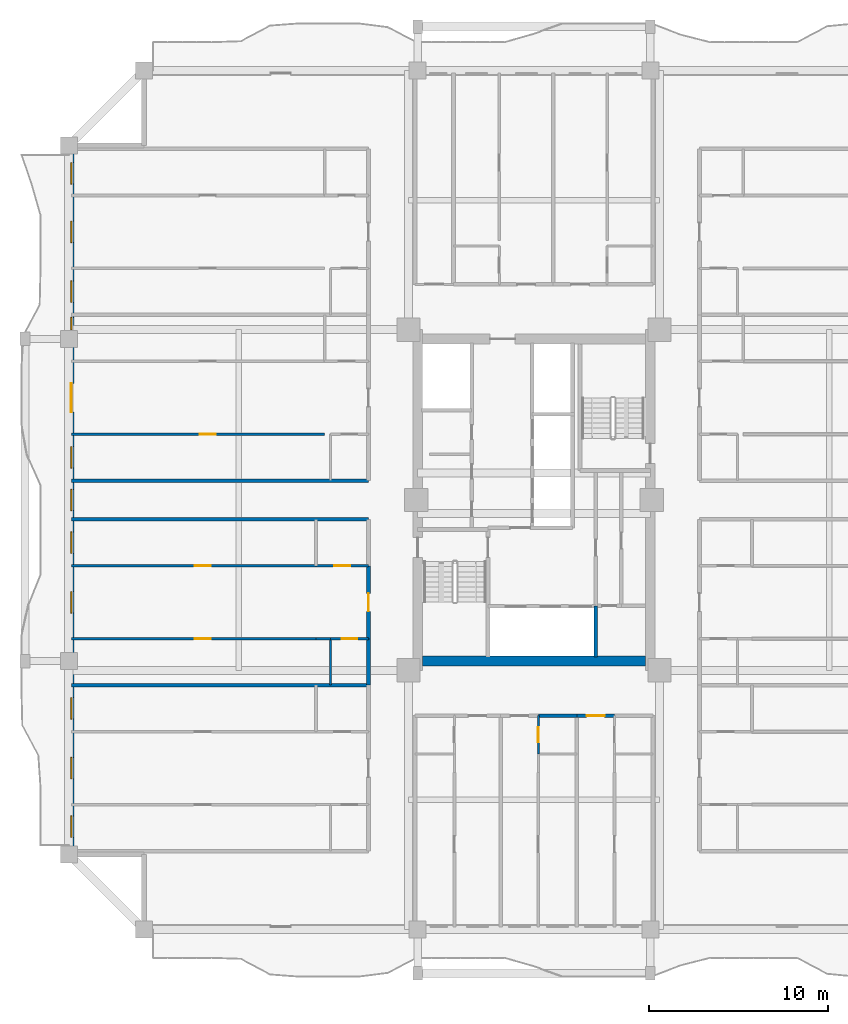
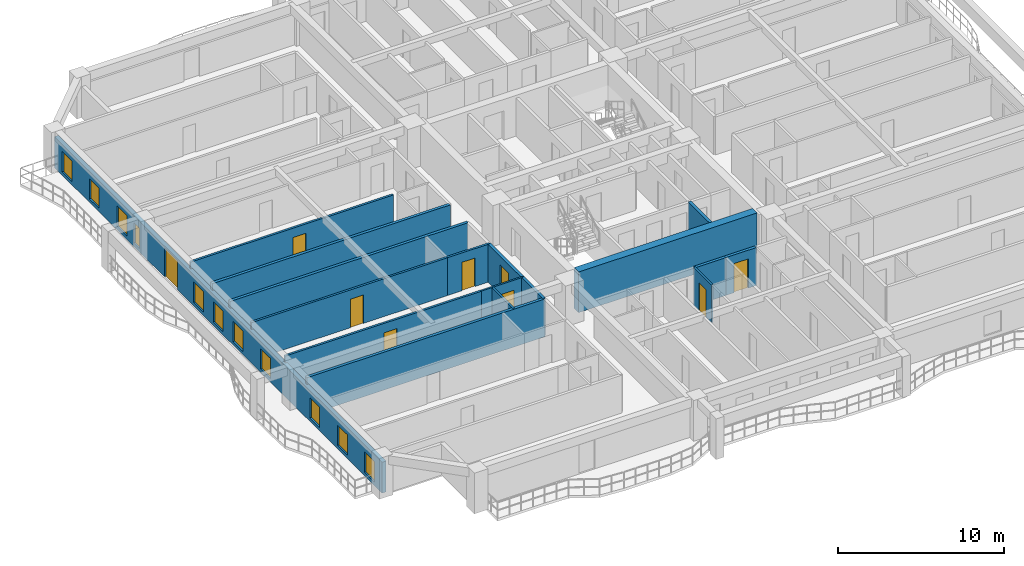
# One storey, part 3 of 13: 18 walls, 11 windows, 9 doors, 20 openings.
"""IFC4 building model written with IfcOpenShell, lengths in metres."""

from ifc_helpers import new_model, si_unit, direction, frame, frame_2d, origin, place, context, subcontext, project, spatial, rectangle, extrude, source, transform, mapped, material, layer, layer_set, type_object, element, fill, save


model = new_model("IFC4")

# Units and contexts
model_context = context("Model", 3, precision=1e-05, world=origin(), true_north=direction((0.0, 1.0)))
body_context = subcontext(model_context, "Body", "Model", "MODEL_VIEW")
ifc_project = project(units=[si_unit("LENGTHUNIT", "METRE"), si_unit("AREAUNIT", "SQUARE_METRE"), si_unit("VOLUMEUNIT", "CUBIC_METRE"), si_unit("PLANEANGLEUNIT", "RADIAN"), si_unit("MASSUNIT", "GRAM", prefix="KILO")], contexts=[model_context])

# Site, building, storey
site_placement = place(None, origin())
site = spatial("IfcSite", under=ifc_project, at=site_placement, CompositionType="ELEMENT")
building_placement = place(site_placement, origin())
building = spatial("IfcBuilding", under=site, at=building_placement, Name="Saelheon Loggia Tower", CompositionType="ELEMENT")
storey_placement = place(building_placement, frame((0.0, 0.0, 104.85009765625)))
storey = spatial("IfcBuildingStorey", under=building, at=storey_placement, Name="L33", CompositionType="ELEMENT", Elevation=104.85009765625)

# Wall
ifc_material_1 = material(Name="Concrete C50/60", Category="concrete")
ifc_layer_1 = layer(ifc_material_1, 0.550048828125)
ifc_layer_set_1 = layer_set([ifc_layer_1], Name="Concrete C50/60")
wall_type_1 = type_object("IfcWallType", Name="Wall_CoreShear_550", PredefinedType="SHEAR", material=ifc_layer_set_1)
wall_1_placement = place(storey_placement, frame((31.77490234375, 18.0, 0.0), z_axis=(0.0, 0.0, 1.0), x_axis=(1.0, 0.0, 0.0)))
element("IfcWall", 1, at=wall_1_placement, inside=storey, type_object=wall_type_1, Name="L33 Core Shear Wall South", PredefinedType="SHEAR", context=body_context, shape_type="SweptSolid", body=[
    extrude(rectangle(XDim=12.4501953125, YDim=0.550048828125, at=frame_2d((6.22509765625, 0.0))), origin(), (0.0, 0.0, 1.0), 3.0),
])

# Wall, openings, windows, door
ifc_material_2 = material(Name="Architectural Precast Concrete C40/50", Category="concrete")
ifc_layer_2 = layer(ifc_material_2, 0.280029296875)
ifc_layer_set_2 = layer_set([ifc_layer_2], Name="Architectural Precast Concrete C40/50")
wall_type_2 = type_object("IfcWallType", Name="Wall_Ext_Loggia_280", PredefinedType="SOLIDWALL", material=ifc_layer_set_2)
wall_2_placement = place(storey_placement, frame((12.139892578125, 7.199951171875, 0.0), z_axis=(0.0, 0.0, 1.0), x_axis=(0.0, 1.0, 0.0)))
wall_2 = element("IfcWall", 2, at=wall_2_placement, inside=storey, type_object=wall_type_2, Name="L33 West Loggia Inner Wall", PredefinedType="SOLIDWALL", context=body_context, shape_type="SweptSolid", body=[
    extrude(rectangle(XDim=39.60009765625, YDim=0.280029296875, at=frame_2d((19.800048828125, 0.0))), origin(), (0.0, 0.0, 1.0), 2.27978515625),
])
opening_1_placement = place(wall_2_placement, frame((0.9453125, 0.0, 0.25)))
opening_1 = element("IfcOpeningElement", 3, at=opening_1_placement, cuts=wall_2, Name="Opening WN-03", PredefinedType="OPENING", context=body_context, shape_type="SweptSolid", body=[
    extrude(rectangle(XDim=1.199951171875, YDim=1.5, at=frame_2d((0.60009765625, 0.75))), frame((0.0, 0.152099609375, 0.0), z_axis=(0.0, -1.0, 0.0), x_axis=(1.0, 0.0, 0.0)), (0.0, 0.0, 1.0), 0.303955078125),
])
opening_2_placement = place(wall_2_placement, frame((4.212890625, 0.0, 0.25)))
opening_2 = element("IfcOpeningElement", 4, at=opening_2_placement, cuts=wall_2, Name="Opening WN-03", PredefinedType="OPENING", context=body_context, shape_type="SweptSolid", body=[
    extrude(rectangle(XDim=1.199951171875, YDim=1.5, at=frame_2d((0.60009765625, 0.75))), frame((0.0, 0.152099609375, 0.0), z_axis=(0.0, -1.0, 0.0), x_axis=(1.0, 0.0, 0.0)), (0.0, 0.0, 1.0), 0.303955078125),
])
opening_3_placement = place(wall_2_placement, frame((7.550048828125, 0.0, 0.25)))
opening_3 = element("IfcOpeningElement", 5, at=opening_3_placement, cuts=wall_2, Name="Opening WN-03", PredefinedType="OPENING", context=body_context, shape_type="SweptSolid", body=[
    extrude(rectangle(XDim=1.199951171875, YDim=1.5, at=frame_2d((0.60009765625, 0.75))), frame((0.0, 0.152099609375, 0.0), z_axis=(0.0, -1.0, 0.0), x_axis=(1.0, 0.0, 0.0)), (0.0, 0.0, 1.0), 0.303955078125),
])
opening_4_placement = place(wall_2_placement, frame((13.48291015625, 0.0, 0.25)))
opening_4 = element("IfcOpeningElement", 6, at=opening_4_placement, cuts=wall_2, Name="Opening WN-03", PredefinedType="OPENING", context=body_context, shape_type="SweptSolid", body=[
    extrude(rectangle(XDim=1.199951171875, YDim=1.5, at=frame_2d((0.60009765625, 0.75))), frame((0.0, 0.152099609375, 0.0), z_axis=(0.0, -1.0, 0.0), x_axis=(1.0, 0.0, 0.0)), (0.0, 0.0, 1.0), 0.303955078125),
])
opening_5_placement = place(wall_2_placement, frame((16.820068359375, 0.0, 0.25)))
opening_5 = element("IfcOpeningElement", 7, at=opening_5_placement, cuts=wall_2, Name="Opening WN-03", PredefinedType="OPENING", context=body_context, shape_type="SweptSolid", body=[
    extrude(rectangle(XDim=1.199951171875, YDim=1.5, at=frame_2d((0.60009765625, 0.75))), frame((0.0, 0.152099609375, 0.0), z_axis=(0.0, -1.0, 0.0), x_axis=(1.0, 0.0, 0.0)), (0.0, 0.0, 1.0), 0.303955078125),
])
opening_6_placement = place(wall_2_placement, frame((19.199951171875, 0.0, 0.25)))
opening_6 = element("IfcOpeningElement", 8, at=opening_6_placement, cuts=wall_2, Name="Opening WN-03", PredefinedType="OPENING", context=body_context, shape_type="SweptSolid", body=[
    extrude(rectangle(XDim=1.199951171875, YDim=1.5, at=frame_2d((0.60009765625, 0.75))), frame((0.0, 0.152099609375, 0.0), z_axis=(0.0, -1.0, 0.0), x_axis=(1.0, 0.0, 0.0)), (0.0, 0.0, 1.0), 0.303955078125),
])
opening_7_placement = place(wall_2_placement, frame((21.577880859375, 0.0, 0.25)))
opening_7 = element("IfcOpeningElement", 9, at=opening_7_placement, cuts=wall_2, Name="Opening WN-03", PredefinedType="OPENING", context=body_context, shape_type="SweptSolid", body=[
    extrude(rectangle(XDim=1.199951171875, YDim=1.5, at=frame_2d((0.60009765625, 0.75))), frame((0.0, 0.152099609375, 0.0), z_axis=(0.0, -1.0, 0.0), x_axis=(1.0, 0.0, 0.0)), (0.0, 0.0, 1.0), 0.303955078125),
])
opening_8_placement = place(wall_2_placement, frame((24.712890625, 0.0, 0.0)))
opening_8 = element("IfcOpeningElement", 10, at=opening_8_placement, cuts=wall_2, Name="Opening DLG-1", PredefinedType="OPENING", context=body_context, shape_type="SweptSolid", body=[
    extrude(rectangle(XDim=1.60009765625, YDim=2.14990234375, at=frame_2d((0.800048828125, 1.074951171875))), frame((0.0, 0.152099609375, 0.0), z_axis=(0.0, -1.0, 0.0), x_axis=(1.0, 0.0, 0.0)), (0.0, 0.0, 1.0), 0.303955078125),
])
opening_9_placement = place(wall_2_placement, frame((29.304931640625, 0.0, 0.25)))
opening_9 = element("IfcOpeningElement", 11, at=opening_9_placement, cuts=wall_2, Name="Opening WN-06", PredefinedType="OPENING", context=body_context, shape_type="SweptSolid", body=[
    extrude(rectangle(XDim=0.699951171875, YDim=1.5, at=frame_2d((0.35009765625, 0.75))), frame((0.0, 0.152099609375, 0.0), z_axis=(0.0, -1.0, 0.0), x_axis=(1.0, 0.0, 0.0)), (0.0, 0.0, 1.0), 0.303955078125),
])
opening_10_placement = place(wall_2_placement, frame((30.847900390625, 0.0, 0.25)))
opening_10 = element("IfcOpeningElement", 12, at=opening_10_placement, cuts=wall_2, Name="Opening WN-03", PredefinedType="OPENING", context=body_context, shape_type="SweptSolid", body=[
    extrude(rectangle(XDim=1.199951171875, YDim=1.5, at=frame_2d((0.60009765625, 0.75))), frame((0.0, 0.152099609375, 0.0), z_axis=(0.0, -1.0, 0.0), x_axis=(1.0, 0.0, 0.0)), (0.0, 0.0, 1.0), 0.303955078125),
])
opening_11_placement = place(wall_2_placement, frame((34.182861328125, 0.0, 0.25)))
opening_11 = element("IfcOpeningElement", 13, at=opening_11_placement, cuts=wall_2, Name="Opening WN-03", PredefinedType="OPENING", context=body_context, shape_type="SweptSolid", body=[
    extrude(rectangle(XDim=1.199951171875, YDim=1.5, at=frame_2d((0.60009765625, 0.75))), frame((0.0, 0.152099609375, 0.0), z_axis=(0.0, -1.0, 0.0), x_axis=(1.0, 0.0, 0.0)), (0.0, 0.0, 1.0), 0.303955078125),
])
opening_12_placement = place(wall_2_placement, frame((37.452392578125, 0.0, 0.25)))
opening_12 = element("IfcOpeningElement", 14, at=opening_12_placement, cuts=wall_2, Name="Opening WN-03", PredefinedType="OPENING", context=body_context, shape_type="SweptSolid", body=[
    extrude(rectangle(XDim=1.199951171875, YDim=1.5, at=frame_2d((0.60009765625, 0.75))), frame((0.0, 0.152099609375, 0.0), z_axis=(0.0, -1.0, 0.0), x_axis=(1.0, 0.0, 0.0)), (0.0, 0.0, 1.0), 0.303955078125),
])
ifc_material_3 = material(Name="Thermal-Break Aluminium and Triple Low-E Glass", Category="aluminium")
window_type_1 = type_object("IfcWindowType", Name="Win_Slot_700x1500", PartitioningType="SINGLE_PANEL", PredefinedType="WINDOW", material=ifc_material_3)
shared_shape_1 = source(origin(), body_context, "Body", "SweptSolid", [
    extrude(rectangle(XDim=0.699951171875, YDim=1.5, at=frame_2d((0.35009765625, 0.75))), frame((0.0, 0.030029296875, 0.0), z_axis=(0.0, -1.0, 0.0), x_axis=(1.0, 0.0, 0.0)), (0.0, 0.0, 1.0), 0.06005859375),
])
window_1_placement = place(opening_9_placement, origin())
window_1 = element("IfcWindow", 15, at=window_1_placement, inside=storey, type_object=window_type_1, Name="L33 W Dwelling Window 9", OverallHeight=1.5, OverallWidth=0.699951171875, PartitioningType="SINGLE_PANEL", PredefinedType="WINDOW", context=body_context, shape_type="MappedRepresentation", body=[
    mapped(shared_shape_1, transform((0.0, 0.0, 0.0), scale=1.0)),
])
fill(opening_9, window_1)
window_type_2 = type_object("IfcWindowType", Name="Win_Bedroom_1200x1500", PartitioningType="SINGLE_PANEL", PredefinedType="WINDOW", material=ifc_material_3)
shared_shape_2 = source(origin(), body_context, "Body", "SweptSolid", [
    extrude(rectangle(XDim=1.199951171875, YDim=1.5, at=frame_2d((0.60009765625, 0.75))), frame((0.0, 0.030029296875, 0.0), z_axis=(0.0, -1.0, 0.0), x_axis=(1.0, 0.0, 0.0)), (0.0, 0.0, 1.0), 0.06005859375),
])
window_2_placement = place(opening_1_placement, origin())
window_2 = element("IfcWindow", 16, at=window_2_placement, inside=storey, type_object=window_type_2, Name="L33 W Dwelling Window 1", OverallHeight=1.5, OverallWidth=1.199951171875, PartitioningType="SINGLE_PANEL", PredefinedType="WINDOW", context=body_context, shape_type="MappedRepresentation", body=[
    mapped(shared_shape_2, transform((0.0, 0.0, 0.0), scale=1.0)),
])
fill(opening_1, window_2)
window_3_placement = place(opening_2_placement, origin())
window_3 = element("IfcWindow", 17, at=window_3_placement, inside=storey, type_object=window_type_2, Name="L33 W Dwelling Window 2", OverallHeight=1.5, OverallWidth=1.199951171875, PartitioningType="SINGLE_PANEL", PredefinedType="WINDOW", context=body_context, shape_type="MappedRepresentation", body=[
    mapped(shared_shape_2, transform((0.0, 0.0, 0.0), scale=1.0)),
])
fill(opening_2, window_3)
window_4_placement = place(opening_3_placement, origin())
window_4 = element("IfcWindow", 18, at=window_4_placement, inside=storey, type_object=window_type_2, Name="L33 W Dwelling Window 3", OverallHeight=1.5, OverallWidth=1.199951171875, PartitioningType="SINGLE_PANEL", PredefinedType="WINDOW", context=body_context, shape_type="MappedRepresentation", body=[
    mapped(shared_shape_2, transform((0.0, 0.0, 0.0), scale=1.0)),
])
fill(opening_3, window_4)
window_5_placement = place(opening_4_placement, origin())
window_5 = element("IfcWindow", 19, at=window_5_placement, inside=storey, type_object=window_type_2, Name="L33 W Dwelling Window 4", OverallHeight=1.5, OverallWidth=1.199951171875, PartitioningType="SINGLE_PANEL", PredefinedType="WINDOW", context=body_context, shape_type="MappedRepresentation", body=[
    mapped(shared_shape_2, transform((0.0, 0.0, 0.0), scale=1.0)),
])
fill(opening_4, window_5)
window_6_placement = place(opening_5_placement, origin())
window_6 = element("IfcWindow", 20, at=window_6_placement, inside=storey, type_object=window_type_2, Name="L33 W Dwelling Window 5", OverallHeight=1.5, OverallWidth=1.199951171875, PartitioningType="SINGLE_PANEL", PredefinedType="WINDOW", context=body_context, shape_type="MappedRepresentation", body=[
    mapped(shared_shape_2, transform((0.0, 0.0, 0.0), scale=1.0)),
])
fill(opening_5, window_6)
window_7_placement = place(opening_6_placement, origin())
window_7 = element("IfcWindow", 21, at=window_7_placement, inside=storey, type_object=window_type_2, Name="L33 W Dwelling Window 6", OverallHeight=1.5, OverallWidth=1.199951171875, PartitioningType="SINGLE_PANEL", PredefinedType="WINDOW", context=body_context, shape_type="MappedRepresentation", body=[
    mapped(shared_shape_2, transform((0.0, 0.0, 0.0), scale=1.0)),
])
fill(opening_6, window_7)
window_8_placement = place(opening_7_placement, origin())
window_8 = element("IfcWindow", 22, at=window_8_placement, inside=storey, type_object=window_type_2, Name="L33 W Dwelling Window 7", OverallHeight=1.5, OverallWidth=1.199951171875, PartitioningType="SINGLE_PANEL", PredefinedType="WINDOW", context=body_context, shape_type="MappedRepresentation", body=[
    mapped(shared_shape_2, transform((0.0, 0.0, 0.0), scale=1.0)),
])
fill(opening_7, window_8)
window_9_placement = place(opening_10_placement, origin())
window_9 = element("IfcWindow", 23, at=window_9_placement, inside=storey, type_object=window_type_2, Name="L33 W Dwelling Window 10", OverallHeight=1.5, OverallWidth=1.199951171875, PartitioningType="SINGLE_PANEL", PredefinedType="WINDOW", context=body_context, shape_type="MappedRepresentation", body=[
    mapped(shared_shape_2, transform((0.0, 0.0, 0.0), scale=1.0)),
])
fill(opening_10, window_9)
window_10_placement = place(opening_11_placement, origin())
window_10 = element("IfcWindow", 24, at=window_10_placement, inside=storey, type_object=window_type_2, Name="L33 W Dwelling Window 11", OverallHeight=1.5, OverallWidth=1.199951171875, PartitioningType="SINGLE_PANEL", PredefinedType="WINDOW", context=body_context, shape_type="MappedRepresentation", body=[
    mapped(shared_shape_2, transform((0.0, 0.0, 0.0), scale=1.0)),
])
fill(opening_11, window_10)
window_11_placement = place(opening_12_placement, origin())
window_11 = element("IfcWindow", 25, at=window_11_placement, inside=storey, type_object=window_type_2, Name="L33 W Dwelling Window 12", OverallHeight=1.5, OverallWidth=1.199951171875, PartitioningType="SINGLE_PANEL", PredefinedType="WINDOW", context=body_context, shape_type="MappedRepresentation", body=[
    mapped(shared_shape_2, transform((0.0, 0.0, 0.0), scale=1.0)),
])
fill(opening_12, window_11)
ifc_material_4 = material(Name="Thermal-Break Aluminium Sliding Glazed Door", Category="aluminium")
door_type_1 = type_object("IfcDoorType", Name="Door_LoggiaSlide_1600", OperationType="SLIDING_TO_LEFT", PredefinedType="DOOR", material=ifc_material_4)
shared_shape_3 = source(origin(), body_context, "Body", "SweptSolid", [
    extrude(rectangle(XDim=1.60009765625, YDim=2.14990234375, at=frame_2d((0.800048828125, 1.074951171875))), frame((0.0, 0.02490234375, 0.0), z_axis=(0.0, -1.0, 0.0), x_axis=(1.0, 0.0, 0.0)), (0.0, 0.0, 1.0), 0.050048828125),
])
door_1_placement = place(opening_8_placement, origin())
door_1 = element("IfcDoor", 26, at=door_1_placement, inside=storey, type_object=door_type_1, Name="L33 W Loggia Access Door", OperationType="SLIDING_TO_LEFT", OverallHeight=2.14990234375, OverallWidth=1.60009765625, PredefinedType="DOOR", context=body_context, shape_type="MappedRepresentation", body=[
    mapped(shared_shape_3, transform((0.0, 0.0, 0.0), scale=1.0)),
])
fill(opening_8, door_1)

# Wall, opening, door
ifc_material_5 = material(Name="Lightweight Autoclaved Aerated Concrete Block and Acoustic Gypsum", Category="concrete")
ifc_layer_3 = layer(ifc_material_5, 0.14990234375)
ifc_layer_set_3 = layer_set([ifc_layer_3], Name="Lightweight Autoclaved Aerated Concrete Block and Acoustic Gypsum")
wall_type_3 = type_object("IfcWallType", Name="Wall_Part_150", PredefinedType="PARTITIONING", material=ifc_layer_set_3)
wall_3_placement = place(storey_placement, frame((25.820068359375, 19.24560546875, 0.0), z_axis=(0.0, 0.0, 1.0), x_axis=(-1.0, 0.0, 0.0)))
wall_3 = element("IfcWall", 27, at=wall_3_placement, inside=storey, type_object=wall_type_3, Name="L33 WS Partition U21", PredefinedType="PARTITIONING", context=body_context, shape_type="SweptSolid", body=[
    extrude(rectangle(XDim=13.670166015625, YDim=0.14990234375, at=frame_2d((6.8349609375, 0.0))), origin(), (0.0, 0.0, 1.0), 2.789794921875),
])
opening_13_placement = place(wall_3_placement, frame((5.872802734375, 0.0, 0.0)))
opening_13 = element("IfcOpeningElement", 28, at=opening_13_placement, cuts=wall_3, Name="Opening D-IN2", PredefinedType="OPENING", context=body_context, shape_type="SweptSolid", body=[
    extrude(rectangle(XDim=0.89990234375, YDim=2.10009765625, at=frame_2d((0.449951171875, 1.050048828125))), frame((0.0, 0.0869140625, 0.0), z_axis=(0.0, -1.0, 0.0), x_axis=(1.0, 0.0, 0.0)), (0.0, 0.0, 1.0), 0.173828125),
])
ifc_material_6 = material(Name="Engineered Oak Flush Door", Category="timber")
door_type_2 = type_object("IfcDoorType", Name="Door_Int_900", OperationType="NOTDEFINED", PredefinedType="DOOR", material=ifc_material_6)
shared_shape_4 = source(origin(), body_context, "Body", "SweptSolid", [
    extrude(rectangle(XDim=0.89990234375, YDim=2.10009765625, at=frame_2d((0.449951171875, 1.050048828125))), frame((0.0, 0.02490234375, 0.0), z_axis=(0.0, -1.0, 0.0), x_axis=(1.0, 0.0, 0.0)), (0.0, 0.0, 1.0), 0.050048828125),
])
door_2_placement = place(opening_13_placement, origin())
door_2 = element("IfcDoor", 29, at=door_2_placement, inside=storey, type_object=door_type_2, Name="Unit U07 Kitchen Door", OperationType="SINGLE_SWING_LEFT", OverallHeight=2.10009765625, OverallWidth=0.89990234375, PredefinedType="DOOR", context=body_context, shape_type="MappedRepresentation", body=[
    mapped(shared_shape_4, transform((0.0, 0.0, 0.0), scale=1.0)),
])
fill(opening_13, door_2)

wall_4_placement = place(storey_placement, frame((28.75, 23.320068359375, 0.0), z_axis=(0.0, 0.0, 1.0), x_axis=(-1.0, 0.0, 0.0)))
wall_4 = element("IfcWall", 30, at=wall_4_placement, inside=storey, type_object=wall_type_3, Name="L33 WS Partition U22", PredefinedType="PARTITIONING", context=body_context, shape_type="SweptSolid", body=[
    extrude(rectangle(XDim=2.929931640625, YDim=0.14990234375, at=frame_2d((1.46484375, 0.0))), origin(), (0.0, 0.0, 1.0), 2.789794921875),
])
opening_14_placement = place(wall_4_placement, frame((1.014892578125, 0.0, 0.0)))
opening_14 = element("IfcOpeningElement", 31, at=opening_14_placement, cuts=wall_4, Name="Opening D-IN2", PredefinedType="OPENING", context=body_context, shape_type="SweptSolid", body=[
    extrude(rectangle(XDim=0.89990234375, YDim=2.10009765625, at=frame_2d((0.449951171875, 1.050048828125))), frame((0.0, 0.0869140625, 0.0), z_axis=(0.0, -1.0, 0.0), x_axis=(1.0, 0.0, 0.0)), (0.0, 0.0, 1.0), 0.173828125),
])
door_3_placement = place(opening_14_placement, origin())
door_3 = element("IfcDoor", 32, at=door_3_placement, inside=storey, type_object=door_type_2, Name="Unit U07 Dressing Closet Door", OperationType="SINGLE_SWING_RIGHT", OverallHeight=2.10009765625, OverallWidth=0.89990234375, PredefinedType="DOOR", context=body_context, shape_type="MappedRepresentation", body=[
    mapped(shared_shape_4, transform((0.0, 0.0, 0.0), scale=1.0)),
])
fill(opening_14, door_3)

wall_5_placement = place(storey_placement, frame((25.820068359375, 23.320068359375, 0.0), z_axis=(0.0, 0.0, 1.0), x_axis=(-1.0, 0.0, 0.0)))
wall_5 = element("IfcWall", 33, at=wall_5_placement, inside=storey, type_object=wall_type_3, Name="L33 WS Partition U23", PredefinedType="PARTITIONING", context=body_context, shape_type="SweptSolid", body=[
    extrude(rectangle(XDim=13.670166015625, YDim=0.14990234375, at=frame_2d((6.8349609375, 0.0))), origin(), (0.0, 0.0, 1.0), 2.789794921875),
])
opening_15_placement = place(wall_5_placement, frame((5.872802734375, 0.0, 0.0)))
opening_15 = element("IfcOpeningElement", 34, at=opening_15_placement, cuts=wall_5, Name="Opening D-IN2", PredefinedType="OPENING", context=body_context, shape_type="SweptSolid", body=[
    extrude(rectangle(XDim=0.89990234375, YDim=2.10009765625, at=frame_2d((0.449951171875, 1.050048828125))), frame((0.0, 0.0869140625, 0.0), z_axis=(0.0, -1.0, 0.0), x_axis=(1.0, 0.0, 0.0)), (0.0, 0.0, 1.0), 0.173828125),
])
door_4_placement = place(opening_15_placement, origin())
door_4 = element("IfcDoor", 35, at=door_4_placement, inside=storey, type_object=door_type_2, Name="Unit U07 Bedroom 1 Door", OperationType="SINGLE_SWING_LEFT", OverallHeight=2.10009765625, OverallWidth=0.89990234375, PredefinedType="DOOR", context=body_context, shape_type="MappedRepresentation", body=[
    mapped(shared_shape_4, transform((0.0, 0.0, 0.0), scale=1.0)),
])
fill(opening_15, door_4)

wall_6_placement = place(storey_placement, frame((26.300048828125, 30.675537109375, 0.0), z_axis=(0.0, 0.0, 1.0), x_axis=(-1.0, 0.0, 0.0)))
wall_6 = element("IfcWall", 36, at=wall_6_placement, inside=storey, type_object=wall_type_3, Name="L33 WN Partition U09", PredefinedType="PARTITIONING", context=body_context, shape_type="SweptSolid", body=[
    extrude(rectangle(XDim=14.150146484375, YDim=0.14990234375, at=frame_2d((7.0751953125, 0.0))), origin(), (0.0, 0.0, 1.0), 2.789794921875),
])
opening_16_placement = place(wall_6_placement, frame((6.093017578125, 0.0, 0.0)))
opening_16 = element("IfcOpeningElement", 37, at=opening_16_placement, cuts=wall_6, Name="Opening D-IN2", PredefinedType="OPENING", context=body_context, shape_type="SweptSolid", body=[
    extrude(rectangle(XDim=0.89990234375, YDim=2.10009765625, at=frame_2d((0.449951171875, 1.050048828125))), frame((0.0, 0.0869140625, 0.0), z_axis=(0.0, -1.0, 0.0), x_axis=(1.0, 0.0, 0.0)), (0.0, 0.0, 1.0), 0.173828125),
])
door_5_placement = place(opening_16_placement, origin())
door_5 = element("IfcDoor", 38, at=door_5_placement, inside=storey, type_object=door_type_2, Name="Unit U08 Kitchen Door", OperationType="SINGLE_SWING_RIGHT", OverallHeight=2.10009765625, OverallWidth=0.89990234375, PredefinedType="DOOR", context=body_context, shape_type="MappedRepresentation", body=[
    mapped(shared_shape_4, transform((0.0, 0.0, 0.0), scale=1.0)),
])
fill(opening_16, door_5)

# Wall
ifc_material_7 = material(Name="Double Acoustic Stud and Fireboard Partition", Category="gypsum")
ifc_layer_4 = layer(ifc_material_7, 0.199951171875)
ifc_layer_set_4 = layer_set([ifc_layer_4], Name="Double Acoustic Stud and Fireboard Partition")
wall_type_4 = type_object("IfcWallType", Name="Wall_Party_200", PredefinedType="PARTITIONING", material=ifc_layer_set_4)
wall_7_placement = place(storey_placement, frame((38.243896484375, 14.949951171875, 0.0), z_axis=(0.0, 0.0, 1.0), x_axis=(1.0, 0.0, 0.0)))
element("IfcWall", 39, at=wall_7_placement, inside=storey, type_object=wall_type_4, Name="L33 S Partition V11", PredefinedType="PARTITIONING", context=body_context, shape_type="SweptSolid", body=[
    extrude(rectangle(XDim=2.150146484375, YDim=0.199951171875, at=frame_2d((1.0751953125, 0.0))), origin(), (0.0, 0.0, 1.0), 2.789794921875),
])

# Wall, opening, door
wall_8_placement = place(storey_placement, frame((40.39404296875, 14.949951171875, 0.0), z_axis=(0.0, 0.0, 1.0), x_axis=(1.0, 0.0, 0.0)))
wall_8 = element("IfcWall", 40, at=wall_8_placement, inside=storey, type_object=wall_type_4, Name="L33 S Partition V17", PredefinedType="PARTITIONING", context=body_context, shape_type="SweptSolid", body=[
    extrude(rectangle(XDim=2.10595703125, YDim=0.199951171875, at=frame_2d((1.052978515625, 0.0))), origin(), (0.0, 0.0, 1.0), 2.789794921875),
])
opening_17_placement = place(wall_8_placement, frame((0.552978515625, 0.0, 0.0)))
opening_17 = element("IfcOpeningElement", 41, at=opening_17_placement, cuts=wall_8, Name="Opening D-FD1", PredefinedType="OPENING", context=body_context, shape_type="SweptSolid", body=[
    extrude(rectangle(XDim=1.0, YDim=2.14990234375, at=frame_2d((0.5, 1.074951171875))), frame((0.0, 0.112060546875, 0.0), z_axis=(0.0, -1.0, 0.0), x_axis=(1.0, 0.0, 0.0)), (0.0, 0.0, 1.0), 0.223876953125),
])
ifc_material_8 = material(Name="Fire-Rated Engineered Timber Entrance Door", Category="wood")
door_type_3 = type_object("IfcDoorType", Name="Door_Flat_FD30S", OperationType="NOTDEFINED", PredefinedType="DOOR", material=ifc_material_8)
shared_shape_5 = source(origin(), body_context, "Body", "SweptSolid", [
    extrude(rectangle(XDim=1.0, YDim=2.14990234375, at=frame_2d((0.5, 1.074951171875))), frame((0.0, 0.02490234375, 0.0), z_axis=(0.0, -1.0, 0.0), x_axis=(1.0, 0.0, 0.0)), (0.0, 0.0, 1.0), 0.050048828125),
])
door_6_placement = place(opening_17_placement, origin())
door_6 = element("IfcDoor", 42, at=door_6_placement, inside=storey, type_object=door_type_3, Name="Unit U03 Entrance Door", OperationType="SINGLE_SWING_RIGHT", OverallHeight=2.14990234375, OverallWidth=1.0, PredefinedType="DOOR", context=body_context, shape_type="MappedRepresentation", body=[
    mapped(shared_shape_5, transform((0.0, 0.0, 0.0), scale=1.0)),
])
fill(opening_17, door_6)

# Walls
for number, where, z_axis, x_axis, name in (
    (43, (28.75, 25.919921875, 0.0), (0.0, 0.0, 1.0), (-1.0, 0.0, 0.0), "L33 WS Partition U02"),
    (44, (28.75, 16.64990234375, 0.0), (0.0, 0.0, 1.0), (-1.0, 0.0, 0.0), "L33 WS Partition U13"),
):
    element("IfcWall", number, at=place(storey_placement, frame(where, z_axis=z_axis, x_axis=x_axis)), inside=storey, type_object=wall_type_4, Name=name, PredefinedType="PARTITIONING", context=body_context, shape_type="SweptSolid", body=[
        extrude(rectangle(XDim=16.60009765625, YDim=0.199951171875, at=frame_2d((8.300048828125, 0.0))), origin(), (0.0, 0.0, 1.0), 2.789794921875),
    ])
wall_9_placement = place(storey_placement, frame((28.75, 16.64990234375, 0.0), z_axis=(0.0, 0.0, 1.0), x_axis=(0.0, 1.0, 0.0)))
element("IfcWall", 45, at=wall_9_placement, inside=storey, type_object=wall_type_4, Name="L33 WS Partition V14", PredefinedType="PARTITIONING", context=body_context, shape_type="SweptSolid", body=[
    extrude(rectangle(XDim=2.595703125, YDim=0.199951171875, at=frame_2d((1.2978515625, 0.0))), origin(), (0.0, 0.0, 1.0), 2.789794921875),
])

# Wall, opening, door
wall_10_placement = place(storey_placement, frame((28.75, 19.24560546875, 0.0), z_axis=(0.0, 0.0, 1.0), x_axis=(0.0, 1.0, 0.0)))
wall_10 = element("IfcWall", 46, at=wall_10_placement, inside=storey, type_object=wall_type_4, Name="L33 WS Partition V15", PredefinedType="PARTITIONING", context=body_context, shape_type="SweptSolid", body=[
    extrude(rectangle(XDim=4.074462890625, YDim=0.199951171875, at=frame_2d((2.037109375, 0.0))), origin(), (0.0, 0.0, 1.0), 2.789794921875),
])
opening_18_placement = place(wall_10_placement, frame((1.537109375, 0.0, 0.0)))
opening_18 = element("IfcOpeningElement", 47, at=opening_18_placement, cuts=wall_10, Name="Opening D-FD1", PredefinedType="OPENING", context=body_context, shape_type="SweptSolid", body=[
    extrude(rectangle(XDim=1.0, YDim=2.14990234375, at=frame_2d((0.5, 1.074951171875))), frame((0.0, 0.112060546875, 0.0), z_axis=(0.0, -1.0, 0.0), x_axis=(1.0, 0.0, 0.0)), (0.0, 0.0, 1.0), 0.223876953125),
])
door_7_placement = place(opening_18_placement, origin())
door_7 = element("IfcDoor", 48, at=door_7_placement, inside=storey, type_object=door_type_3, Name="Unit U07 Entrance Door", OperationType="SINGLE_SWING_LEFT", OverallHeight=2.14990234375, OverallWidth=1.0, PredefinedType="DOOR", context=body_context, shape_type="MappedRepresentation", body=[
    mapped(shared_shape_5, transform((0.0, 0.0, 0.0), scale=1.0)),
])
fill(opening_18, door_7)

# Walls
wall_11_placement = place(storey_placement, frame((28.75, 28.080078125, 0.0), z_axis=(0.0, 0.0, 1.0), x_axis=(-1.0, 0.0, 0.0)))
element("IfcWall", 49, at=wall_11_placement, inside=storey, type_object=wall_type_4, Name="L33 WN Partition U01", PredefinedType="PARTITIONING", context=body_context, shape_type="SweptSolid", body=[
    extrude(rectangle(XDim=16.60009765625, YDim=0.199951171875, at=frame_2d((8.300048828125, 0.0))), origin(), (0.0, 0.0, 1.0), 2.789794921875),
])
ifc_material_9 = material(Name="Concrete C40/50", Category="concrete")
ifc_layer_5 = layer(ifc_material_9, 0.199951171875)
ifc_layer_set_5 = layer_set([ifc_layer_5], Name="Concrete C40/50")
wall_type_5 = type_object("IfcWallType", Name="Wall_Shaft_200", PredefinedType="PARTITIONING", material=ifc_layer_set_5)
wall_12_placement = place(storey_placement, frame((41.449951171875, 18.219970703125, 0.0), z_axis=(0.0, 0.0, 1.0), x_axis=(0.0, 1.0, 0.0)))
element("IfcWall", 50, at=wall_12_placement, inside=storey, type_object=wall_type_5, Name="CW-INT-L33-BOH-W0", PredefinedType="PARTITIONING", context=body_context, shape_type="SweptSolid", body=[
    extrude(rectangle(XDim=2.860107421875, YDim=0.199951171875, at=frame_2d((1.43017578125, 0.0))), origin(), (0.0, 0.0, 1.0), 2.789794921875),
])

# Wall, opening, door
ifc_material_10 = material(Name="Moisture-Resistant Cement Board Partition", Category="gypsum")
ifc_layer_6 = layer(ifc_material_10, 0.1201171875)
ifc_layer_set_6 = layer_set([ifc_layer_6], Name="Moisture-Resistant Cement Board Partition")
wall_type_6 = type_object("IfcWallType", Name="Wall_WetPart_120", PredefinedType="PARTITIONING", material=ifc_layer_set_6)
wall_13_placement = place(storey_placement, frame((38.243896484375, 14.949951171875, 0.0), z_axis=(0.0, 0.0, 1.0), x_axis=(0.0, -1.0, 0.0)))
wall_13 = element("IfcWall", 51, at=wall_13_placement, inside=storey, type_object=wall_type_6, Name="L33 S Partition U12", PredefinedType="PARTITIONING", context=body_context, shape_type="SweptSolid", body=[
    extrude(rectangle(XDim=2.14990234375, YDim=0.1201171875, at=frame_2d((1.074951171875, 0.0))), origin(), (0.0, 0.0, 1.0), 2.789794921875),
])
opening_19_placement = place(wall_13_placement, frame((0.64990234375, 0.0, 0.0)))
opening_19 = element("IfcOpeningElement", 52, at=opening_19_placement, cuts=wall_13, Name="Opening D-BT1", PredefinedType="OPENING", context=body_context, shape_type="SweptSolid", body=[
    extrude(rectangle(XDim=0.85009765625, YDim=2.050048828125, at=frame_2d((0.425048828125, 1.02490234375))), frame((0.0, 0.072021484375, 0.0), z_axis=(0.0, -1.0, 0.0), x_axis=(1.0, 0.0, 0.0)), (0.0, 0.0, 1.0), 0.14404296875),
])
ifc_material_11 = material(Name="Moisture-Resistant Laminate Timber Door", Category="wood")
door_type_4 = type_object("IfcDoorType", Name="Door_Bath_850", OperationType="NOTDEFINED", PredefinedType="DOOR", material=ifc_material_11)
shared_shape_6 = source(origin(), body_context, "Body", "SweptSolid", [
    extrude(rectangle(XDim=0.85009765625, YDim=2.050048828125, at=frame_2d((0.425048828125, 1.02490234375))), frame((0.0, 0.02490234375, 0.0), z_axis=(0.0, -1.0, 0.0), x_axis=(1.0, 0.0, 0.0)), (0.0, 0.0, 1.0), 0.050048828125),
])
door_8_placement = place(opening_19_placement, origin())
door_8 = element("IfcDoor", 53, at=door_8_placement, inside=storey, type_object=door_type_4, Name="Unit U02 Bathroom Door", OperationType="SINGLE_SWING_RIGHT", OverallHeight=2.050048828125, OverallWidth=0.85009765625, PredefinedType="DOOR", context=body_context, shape_type="MappedRepresentation", body=[
    mapped(shared_shape_6, transform((0.0, 0.0, 0.0), scale=1.0)),
])
fill(opening_19, door_8)

# Wall
wall_14_placement = place(storey_placement, frame((26.6298828125, 16.64990234375, 0.0), z_axis=(0.0, 0.0, 1.0), x_axis=(0.0, 1.0, 0.0)))
element("IfcWall", 54, at=wall_14_placement, inside=storey, type_object=wall_type_6, Name="L33 WS Partition V17", PredefinedType="PARTITIONING", context=body_context, shape_type="SweptSolid", body=[
    extrude(rectangle(XDim=2.595703125, YDim=0.1201171875, at=frame_2d((1.2978515625, 0.0))), origin(), (0.0, 0.0, 1.0), 2.789794921875),
])

# Wall, opening, door
wall_15_placement = place(storey_placement, frame((28.75, 19.24560546875, 0.0), z_axis=(0.0, 0.0, 1.0), x_axis=(-1.0, 0.0, 0.0)))
wall_15 = element("IfcWall", 55, at=wall_15_placement, inside=storey, type_object=wall_type_6, Name="L33 WS Partition U19", PredefinedType="PARTITIONING", context=body_context, shape_type="SweptSolid", body=[
    extrude(rectangle(XDim=2.1201171875, YDim=0.1201171875, at=frame_2d((1.06005859375, 0.0))), origin(), (0.0, 0.0, 1.0), 2.789794921875),
])
opening_20_placement = place(wall_15_placement, frame((0.635009765625, 0.0, 0.0)))
opening_20 = element("IfcOpeningElement", 56, at=opening_20_placement, cuts=wall_15, Name="Opening D-BT1", PredefinedType="OPENING", context=body_context, shape_type="SweptSolid", body=[
    extrude(rectangle(XDim=0.85009765625, YDim=2.050048828125, at=frame_2d((0.425048828125, 1.02490234375))), frame((0.0, 0.072021484375, 0.0), z_axis=(0.0, -1.0, 0.0), x_axis=(1.0, 0.0, 0.0)), (0.0, 0.0, 1.0), 0.14404296875),
])
door_9_placement = place(opening_20_placement, origin())
door_9 = element("IfcDoor", 57, at=door_9_placement, inside=storey, type_object=door_type_4, Name="Unit U07 Bathroom Door", OperationType="SINGLE_SWING_RIGHT", OverallHeight=2.050048828125, OverallWidth=0.85009765625, PredefinedType="DOOR", context=body_context, shape_type="MappedRepresentation", body=[
    mapped(shared_shape_6, transform((0.0, 0.0, 0.0), scale=1.0)),
])
fill(opening_20, door_9)

# Wall
wall_16_placement = place(storey_placement, frame((26.6298828125, 19.24560546875, 0.0), z_axis=(0.0, 0.0, 1.0), x_axis=(-1.0, 0.0, 0.0)))
element("IfcWall", 58, at=wall_16_placement, inside=storey, type_object=wall_type_6, Name="L33 WS Partition U20", PredefinedType="PARTITIONING", context=body_context, shape_type="SweptSolid", body=[
    extrude(rectangle(XDim=0.809814453125, YDim=0.1201171875, at=frame_2d((0.40478515625, 0.0))), origin(), (0.0, 0.0, 1.0), 2.789794921875),
])

save(model, "model.ifc")
